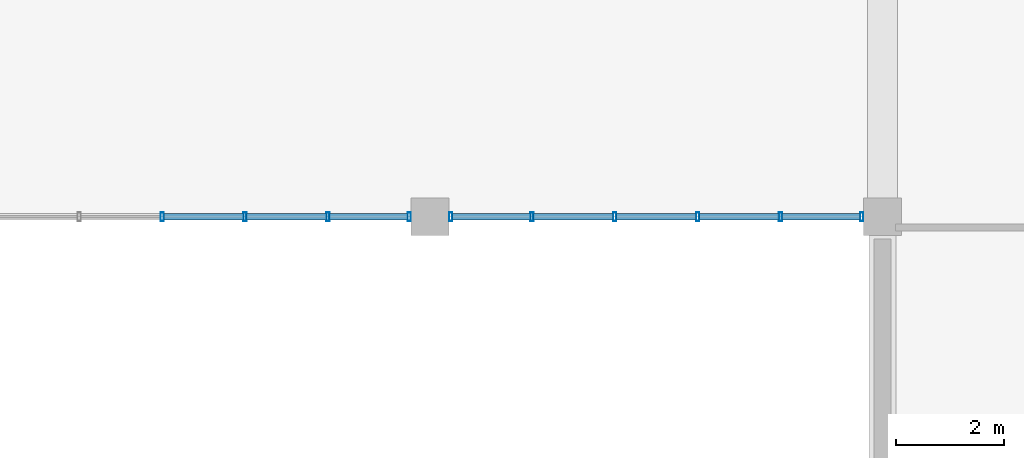
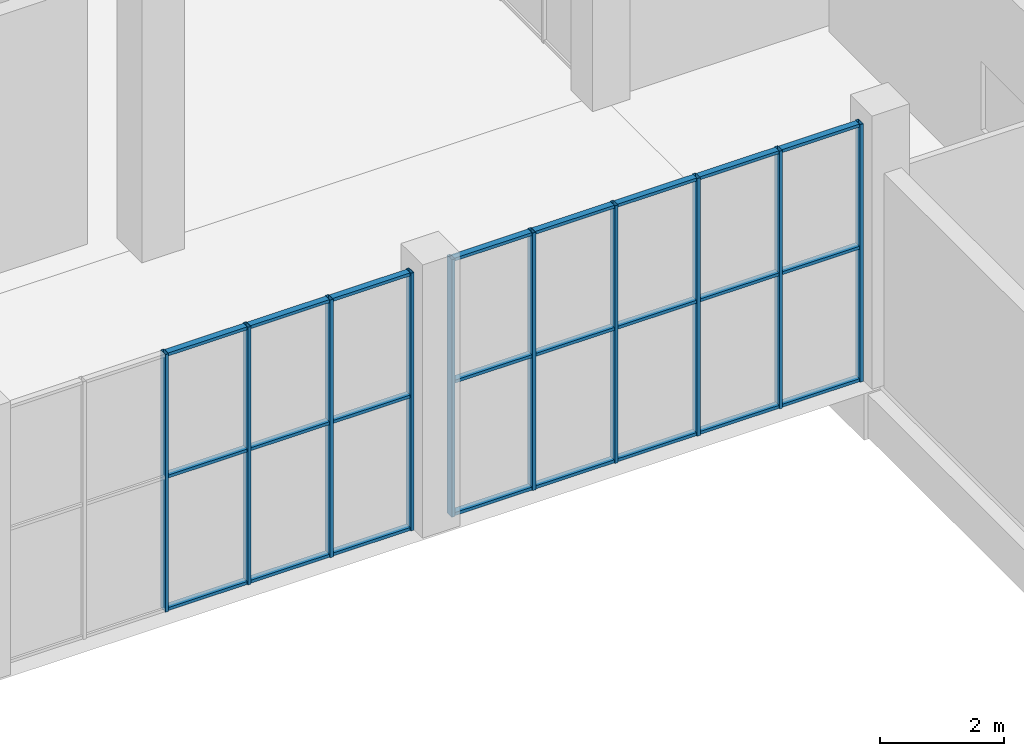
# One storey, part 52 of 91: 34 members, 2 elements without a shape of their own.
"""IFC4 building model written with IfcOpenShell, lengths in metres."""

from ifc_helpers import new_model, si_unit, direction, frame, origin, origin_2d, place, context, subcontext, project, spatial, hollow_rectangle, extrude, material, material_profile, profile_set, type_object, element, aggregate, save


model = new_model("IFC4")

# Units and contexts
model_context = context("Model", 3, precision=1e-05, world=origin(), true_north=direction((0.0, 1.0)))
body_context = subcontext(model_context, "Body", "Model", "MODEL_VIEW")
ifc_project = project(units=[si_unit("LENGTHUNIT", "METRE"), si_unit("AREAUNIT", "SQUARE_METRE"), si_unit("VOLUMEUNIT", "CUBIC_METRE"), si_unit("PLANEANGLEUNIT", "RADIAN"), si_unit("MASSUNIT", "GRAM", prefix="KILO")], contexts=[model_context])

# Site, building, storey
site_placement = place(None, origin())
site = spatial("IfcSite", under=ifc_project, at=site_placement, CompositionType="ELEMENT")
building_placement = place(site_placement, origin())
building = spatial("IfcBuilding", under=site, at=building_placement, Name="Khurvash Pelagic Aquarium", CompositionType="ELEMENT")
storey_placement = place(building_placement, origin())
storey = spatial("IfcBuildingStorey", under=building, at=storey_placement, Name="L00", CompositionType="ELEMENT", Elevation=0.0)

# Curtain wall, members
ifc_material_1 = material(Name="Anodised aluminium and low-E laminated glass", Category="aluminium")
curtain_wall_type = type_object("IfcCurtainWallType", Name="CW-02", PredefinedType="USERDEFINED", material=ifc_material_1)
curtain_wall_1_placement = place(storey_placement, origin())
curtain_wall_1 = element("IfcCurtainWall", 1, at=curtain_wall_1_placement, inside=storey, type_object=curtain_wall_type, Name="L00 Facade Unitised Curtain Wall CW-02 0088", ObjectType="UNITISED CURTAIN WALL", PredefinedType="USERDEFINED")
ifc_material_2 = material(Name="Extruded aluminium AW-6063-T6", Category="aluminium")
ifc_material_profile_1 = material_profile(ifc_material_2, hollow_rectangle(XDim=0.06005859375, YDim=0.159912109375, WallThickness=0.00390625, at=origin_2d()), Name="CWM60X160X4")
ifc_profile_set_1 = profile_set([ifc_material_profile_1], Name="Extruded aluminium AW-6063-T6")
member_type_1 = type_object("IfcMemberType", Name="CM-02", PredefinedType="MULLION", material=ifc_profile_set_1)
member_1_placement = place(storey_placement, frame((112.631103515625, 75.0, 0.0), z_axis=(0.0, 0.0, 1.0), x_axis=(1.0, 0.0, 0.0)))
member_1 = element("IfcMember", 2, at=member_1_placement, type_object=member_type_1, Name="CW-02 mullion 3", PredefinedType="MULLION", context=body_context, shape_type="SweptSolid", body=[
    extrude(hollow_rectangle(XDim=0.06005859375, YDim=0.159912109375, WallThickness=0.00390625, at=origin_2d()), origin(), (0.0, 0.0, 1.0), 5.090087890625),
])
member_2_placement = place(storey_placement, frame((114.1689453125, 75.0, 0.0), z_axis=(0.0, 0.0, 1.0), x_axis=(1.0, 0.0, 0.0)))
member_2 = element("IfcMember", 3, at=member_2_placement, type_object=member_type_1, Name="CW-02 mullion 4", PredefinedType="MULLION", context=body_context, shape_type="SweptSolid", body=[
    extrude(hollow_rectangle(XDim=0.06005859375, YDim=0.159912109375, WallThickness=0.00390625, at=origin_2d()), origin(), (0.0, 0.0, 1.0), 5.090087890625),
])
member_3_placement = place(storey_placement, frame((115.70703125, 75.0, 0.0), z_axis=(0.0, 0.0, 1.0), x_axis=(1.0, 0.0, 0.0)))
member_3 = element("IfcMember", 4, at=member_3_placement, type_object=member_type_1, Name="CW-02 mullion 5", PredefinedType="MULLION", context=body_context, shape_type="SweptSolid", body=[
    extrude(hollow_rectangle(XDim=0.06005859375, YDim=0.159912109375, WallThickness=0.00390625, at=origin_2d()), origin(), (0.0, 0.0, 1.0), 5.090087890625),
])
member_4_placement = place(storey_placement, frame((117.215087890625, 75.0, 0.0), z_axis=(0.0, 0.0, 1.0), x_axis=(1.0, 0.0, 0.0)))
member_4 = element("IfcMember", 5, at=member_4_placement, type_object=member_type_1, Name="CW-02 mullion 6", PredefinedType="MULLION", context=body_context, shape_type="SweptSolid", body=[
    extrude(hollow_rectangle(XDim=0.06005859375, YDim=0.159912109375, WallThickness=0.00390625, at=origin_2d()), origin(), (0.0, 0.0, 1.0), 5.090087890625),
])

curtain_wall_2_placement = place(storey_placement, origin())
curtain_wall_2 = element("IfcCurtainWall", 6, at=curtain_wall_2_placement, inside=storey, type_object=curtain_wall_type, Name="L00 Facade Unitised Curtain Wall CW-02 0089", ObjectType="UNITISED CURTAIN WALL", PredefinedType="USERDEFINED")
member_5_placement = place(storey_placement, frame((117.985107421875, 75.0, 0.0), z_axis=(0.0, 0.0, 1.0), x_axis=(1.0, 0.0, 0.0)))
member_5 = element("IfcMember", 7, at=member_5_placement, type_object=member_type_1, Name="CW-02 mullion 1", PredefinedType="MULLION", context=body_context, shape_type="SweptSolid", body=[
    extrude(hollow_rectangle(XDim=0.06005859375, YDim=0.159912109375, WallThickness=0.00390625, at=origin_2d()), origin(), (0.0, 0.0, 1.0), 5.090087890625),
])
member_6_placement = place(storey_placement, frame((119.492919921875, 75.0, 0.0), z_axis=(0.0, 0.0, 1.0), x_axis=(1.0, 0.0, 0.0)))
member_6 = element("IfcMember", 8, at=member_6_placement, type_object=member_type_1, Name="CW-02 mullion 2", PredefinedType="MULLION", context=body_context, shape_type="SweptSolid", body=[
    extrude(hollow_rectangle(XDim=0.06005859375, YDim=0.159912109375, WallThickness=0.00390625, at=origin_2d()), origin(), (0.0, 0.0, 1.0), 5.090087890625),
])
member_7_placement = place(storey_placement, frame((121.031005859375, 75.0, 0.0), z_axis=(0.0, 0.0, 1.0), x_axis=(1.0, 0.0, 0.0)))
member_7 = element("IfcMember", 9, at=member_7_placement, type_object=member_type_1, Name="CW-02 mullion 3", PredefinedType="MULLION", context=body_context, shape_type="SweptSolid", body=[
    extrude(hollow_rectangle(XDim=0.06005859375, YDim=0.159912109375, WallThickness=0.00390625, at=origin_2d()), origin(), (0.0, 0.0, 1.0), 5.090087890625),
])
member_8_placement = place(storey_placement, frame((122.569091796875, 75.0, 0.0), z_axis=(0.0, 0.0, 1.0), x_axis=(1.0, 0.0, 0.0)))
member_8 = element("IfcMember", 10, at=member_8_placement, type_object=member_type_1, Name="CW-02 mullion 4", PredefinedType="MULLION", context=body_context, shape_type="SweptSolid", body=[
    extrude(hollow_rectangle(XDim=0.06005859375, YDim=0.159912109375, WallThickness=0.00390625, at=origin_2d()), origin(), (0.0, 0.0, 1.0), 5.090087890625),
])
member_9_placement = place(storey_placement, frame((124.10693359375, 75.0, 0.0), z_axis=(0.0, 0.0, 1.0), x_axis=(1.0, 0.0, 0.0)))
member_9 = element("IfcMember", 11, at=member_9_placement, type_object=member_type_1, Name="CW-02 mullion 5", PredefinedType="MULLION", context=body_context, shape_type="SweptSolid", body=[
    extrude(hollow_rectangle(XDim=0.06005859375, YDim=0.159912109375, WallThickness=0.00390625, at=origin_2d()), origin(), (0.0, 0.0, 1.0), 5.090087890625),
])
member_10_placement = place(storey_placement, frame((125.614990234375, 75.0, 0.0), z_axis=(0.0, 0.0, 1.0), x_axis=(1.0, 0.0, 0.0)))
member_10 = element("IfcMember", 12, at=member_10_placement, type_object=member_type_1, Name="CW-02 mullion 6", PredefinedType="MULLION", context=body_context, shape_type="SweptSolid", body=[
    extrude(hollow_rectangle(XDim=0.06005859375, YDim=0.159912109375, WallThickness=0.00390625, at=origin_2d()), origin(), (0.0, 0.0, 1.0), 5.090087890625),
])

# Member
ifc_material_profile_2 = material_profile(ifc_material_2, hollow_rectangle(XDim=0.1201171875, YDim=0.06005859375, WallThickness=0.00390625, at=origin_2d()), Name="CWT120X60X4")
ifc_profile_set_2 = profile_set([ifc_material_profile_2], Name="Extruded aluminium AW-6063-T6")
member_type_2 = type_object("IfcMemberType", Name="CT-02", PredefinedType="USERDEFINED", material=ifc_profile_set_2)
member_11_placement = place(storey_placement, frame((112.660888671875, 75.0, 0.030029296875), z_axis=(1.0, 0.0, 0.0), x_axis=(0.0, 1.0, 0.0)))
member_11 = element("IfcMember", 13, at=member_11_placement, type_object=member_type_2, Name="CW-02 transom 3.1", ObjectType="TRANSOM", PredefinedType="USERDEFINED", context=body_context, shape_type="SweptSolid", body=[
    extrude(hollow_rectangle(XDim=0.1201171875, YDim=0.06005859375, WallThickness=0.00390625, at=origin_2d()), origin(), (0.0, 0.0, 1.0), 1.47802734375),
])

member_12_placement = place(storey_placement, frame((112.660888671875, 75.0, 2.64697265625), z_axis=(1.0, 0.0, 0.0), x_axis=(0.0, 1.0, 0.0)))
member_12 = element("IfcMember", 14, at=member_12_placement, type_object=member_type_2, Name="CW-02 transom 3.2", ObjectType="TRANSOM", PredefinedType="USERDEFINED", context=body_context, shape_type="SweptSolid", body=[
    extrude(hollow_rectangle(XDim=0.1201171875, YDim=0.06005859375, WallThickness=0.00390625, at=origin_2d()), origin(), (0.0, 0.0, 1.0), 1.47802734375),
])

member_13_placement = place(storey_placement, frame((112.660888671875, 75.0, 5.06005859375), z_axis=(1.0, 0.0, 0.0), x_axis=(0.0, 1.0, 0.0)))
member_13 = element("IfcMember", 15, at=member_13_placement, type_object=member_type_2, Name="CW-02 transom 3.3", ObjectType="TRANSOM", PredefinedType="USERDEFINED", context=body_context, shape_type="SweptSolid", body=[
    extrude(hollow_rectangle(XDim=0.1201171875, YDim=0.06005859375, WallThickness=0.00390625, at=origin_2d()), origin(), (0.0, 0.0, 1.0), 1.47802734375),
])

member_14_placement = place(storey_placement, frame((114.198974609375, 75.0, 0.030029296875), z_axis=(1.0, 0.0, 0.0), x_axis=(0.0, 1.0, 0.0)))
member_14 = element("IfcMember", 16, at=member_14_placement, type_object=member_type_2, Name="CW-02 transom 4.1", ObjectType="TRANSOM", PredefinedType="USERDEFINED", context=body_context, shape_type="SweptSolid", body=[
    extrude(hollow_rectangle(XDim=0.1201171875, YDim=0.06005859375, WallThickness=0.00390625, at=origin_2d()), origin(), (0.0, 0.0, 1.0), 1.47802734375),
])

member_15_placement = place(storey_placement, frame((114.198974609375, 75.0, 2.64697265625), z_axis=(1.0, 0.0, 0.0), x_axis=(0.0, 1.0, 0.0)))
member_15 = element("IfcMember", 17, at=member_15_placement, type_object=member_type_2, Name="CW-02 transom 4.2", ObjectType="TRANSOM", PredefinedType="USERDEFINED", context=body_context, shape_type="SweptSolid", body=[
    extrude(hollow_rectangle(XDim=0.1201171875, YDim=0.06005859375, WallThickness=0.00390625, at=origin_2d()), origin(), (0.0, 0.0, 1.0), 1.47802734375),
])

member_16_placement = place(storey_placement, frame((114.198974609375, 75.0, 5.06005859375), z_axis=(1.0, 0.0, 0.0), x_axis=(0.0, 1.0, 0.0)))
member_16 = element("IfcMember", 18, at=member_16_placement, type_object=member_type_2, Name="CW-02 transom 4.3", ObjectType="TRANSOM", PredefinedType="USERDEFINED", context=body_context, shape_type="SweptSolid", body=[
    extrude(hollow_rectangle(XDim=0.1201171875, YDim=0.06005859375, WallThickness=0.00390625, at=origin_2d()), origin(), (0.0, 0.0, 1.0), 1.47802734375),
])

member_17_placement = place(storey_placement, frame((115.737060546875, 75.0, 0.030029296875), z_axis=(1.0, 0.0, 0.0), x_axis=(0.0, 1.0, 0.0)))
member_17 = element("IfcMember", 19, at=member_17_placement, type_object=member_type_2, Name="CW-02 transom 5.1", ObjectType="TRANSOM", PredefinedType="USERDEFINED", context=body_context, shape_type="SweptSolid", body=[
    extrude(hollow_rectangle(XDim=0.1201171875, YDim=0.06005859375, WallThickness=0.00390625, at=origin_2d()), origin(), (0.0, 0.0, 1.0), 1.447998046875),
])

member_18_placement = place(storey_placement, frame((115.737060546875, 75.0, 2.64697265625), z_axis=(1.0, 0.0, 0.0), x_axis=(0.0, 1.0, 0.0)))
member_18 = element("IfcMember", 20, at=member_18_placement, type_object=member_type_2, Name="CW-02 transom 5.2", ObjectType="TRANSOM", PredefinedType="USERDEFINED", context=body_context, shape_type="SweptSolid", body=[
    extrude(hollow_rectangle(XDim=0.1201171875, YDim=0.06005859375, WallThickness=0.00390625, at=origin_2d()), origin(), (0.0, 0.0, 1.0), 1.447998046875),
])

member_19_placement = place(storey_placement, frame((115.737060546875, 75.0, 5.06005859375), z_axis=(1.0, 0.0, 0.0), x_axis=(0.0, 1.0, 0.0)))
member_19 = element("IfcMember", 21, at=member_19_placement, type_object=member_type_2, Name="CW-02 transom 5.3", ObjectType="TRANSOM", PredefinedType="USERDEFINED", context=body_context, shape_type="SweptSolid", body=[
    extrude(hollow_rectangle(XDim=0.1201171875, YDim=0.06005859375, WallThickness=0.00390625, at=origin_2d()), origin(), (0.0, 0.0, 1.0), 1.447998046875),
])

aggregate(curtain_wall_1, [member_1, member_2, member_3, member_4, member_11, member_12, member_13, member_14, member_15, member_16, member_17, member_18, member_19])

member_20_placement = place(storey_placement, frame((118.014892578125, 75.0, 0.030029296875), z_axis=(1.0, 0.0, 0.0), x_axis=(0.0, 1.0, 0.0)))
member_20 = element("IfcMember", 22, at=member_20_placement, type_object=member_type_2, Name="CW-02 transom 1.1", ObjectType="TRANSOM", PredefinedType="USERDEFINED", context=body_context, shape_type="SweptSolid", body=[
    extrude(hollow_rectangle(XDim=0.1201171875, YDim=0.06005859375, WallThickness=0.00390625, at=origin_2d()), origin(), (0.0, 0.0, 1.0), 1.447998046875),
])

member_21_placement = place(storey_placement, frame((118.014892578125, 75.0, 2.64697265625), z_axis=(1.0, 0.0, 0.0), x_axis=(0.0, 1.0, 0.0)))
member_21 = element("IfcMember", 23, at=member_21_placement, type_object=member_type_2, Name="CW-02 transom 1.2", ObjectType="TRANSOM", PredefinedType="USERDEFINED", context=body_context, shape_type="SweptSolid", body=[
    extrude(hollow_rectangle(XDim=0.1201171875, YDim=0.06005859375, WallThickness=0.00390625, at=origin_2d()), origin(), (0.0, 0.0, 1.0), 1.447998046875),
])

member_22_placement = place(storey_placement, frame((118.014892578125, 75.0, 5.06005859375), z_axis=(1.0, 0.0, 0.0), x_axis=(0.0, 1.0, 0.0)))
member_22 = element("IfcMember", 24, at=member_22_placement, type_object=member_type_2, Name="CW-02 transom 1.3", ObjectType="TRANSOM", PredefinedType="USERDEFINED", context=body_context, shape_type="SweptSolid", body=[
    extrude(hollow_rectangle(XDim=0.1201171875, YDim=0.06005859375, WallThickness=0.00390625, at=origin_2d()), origin(), (0.0, 0.0, 1.0), 1.447998046875),
])

member_23_placement = place(storey_placement, frame((119.52294921875, 75.0, 0.030029296875), z_axis=(1.0, 0.0, 0.0), x_axis=(0.0, 1.0, 0.0)))
member_23 = element("IfcMember", 25, at=member_23_placement, type_object=member_type_2, Name="CW-02 transom 2.1", ObjectType="TRANSOM", PredefinedType="USERDEFINED", context=body_context, shape_type="SweptSolid", body=[
    extrude(hollow_rectangle(XDim=0.1201171875, YDim=0.06005859375, WallThickness=0.00390625, at=origin_2d()), origin(), (0.0, 0.0, 1.0), 1.47802734375),
])

member_24_placement = place(storey_placement, frame((119.52294921875, 75.0, 2.64697265625), z_axis=(1.0, 0.0, 0.0), x_axis=(0.0, 1.0, 0.0)))
member_24 = element("IfcMember", 26, at=member_24_placement, type_object=member_type_2, Name="CW-02 transom 2.2", ObjectType="TRANSOM", PredefinedType="USERDEFINED", context=body_context, shape_type="SweptSolid", body=[
    extrude(hollow_rectangle(XDim=0.1201171875, YDim=0.06005859375, WallThickness=0.00390625, at=origin_2d()), origin(), (0.0, 0.0, 1.0), 1.47802734375),
])

member_25_placement = place(storey_placement, frame((119.52294921875, 75.0, 5.06005859375), z_axis=(1.0, 0.0, 0.0), x_axis=(0.0, 1.0, 0.0)))
member_25 = element("IfcMember", 27, at=member_25_placement, type_object=member_type_2, Name="CW-02 transom 2.3", ObjectType="TRANSOM", PredefinedType="USERDEFINED", context=body_context, shape_type="SweptSolid", body=[
    extrude(hollow_rectangle(XDim=0.1201171875, YDim=0.06005859375, WallThickness=0.00390625, at=origin_2d()), origin(), (0.0, 0.0, 1.0), 1.47802734375),
])

member_26_placement = place(storey_placement, frame((121.06103515625, 75.0, 0.030029296875), z_axis=(1.0, 0.0, 0.0), x_axis=(0.0, 1.0, 0.0)))
member_26 = element("IfcMember", 28, at=member_26_placement, type_object=member_type_2, Name="CW-02 transom 3.1", ObjectType="TRANSOM", PredefinedType="USERDEFINED", context=body_context, shape_type="SweptSolid", body=[
    extrude(hollow_rectangle(XDim=0.1201171875, YDim=0.06005859375, WallThickness=0.00390625, at=origin_2d()), origin(), (0.0, 0.0, 1.0), 1.47802734375),
])

member_27_placement = place(storey_placement, frame((121.06103515625, 75.0, 2.64697265625), z_axis=(1.0, 0.0, 0.0), x_axis=(0.0, 1.0, 0.0)))
member_27 = element("IfcMember", 29, at=member_27_placement, type_object=member_type_2, Name="CW-02 transom 3.2", ObjectType="TRANSOM", PredefinedType="USERDEFINED", context=body_context, shape_type="SweptSolid", body=[
    extrude(hollow_rectangle(XDim=0.1201171875, YDim=0.06005859375, WallThickness=0.00390625, at=origin_2d()), origin(), (0.0, 0.0, 1.0), 1.47802734375),
])

member_28_placement = place(storey_placement, frame((121.06103515625, 75.0, 5.06005859375), z_axis=(1.0, 0.0, 0.0), x_axis=(0.0, 1.0, 0.0)))
member_28 = element("IfcMember", 30, at=member_28_placement, type_object=member_type_2, Name="CW-02 transom 3.3", ObjectType="TRANSOM", PredefinedType="USERDEFINED", context=body_context, shape_type="SweptSolid", body=[
    extrude(hollow_rectangle(XDim=0.1201171875, YDim=0.06005859375, WallThickness=0.00390625, at=origin_2d()), origin(), (0.0, 0.0, 1.0), 1.47802734375),
])

member_29_placement = place(storey_placement, frame((122.59912109375, 75.0, 0.030029296875), z_axis=(1.0, 0.0, 0.0), x_axis=(0.0, 1.0, 0.0)))
member_29 = element("IfcMember", 31, at=member_29_placement, type_object=member_type_2, Name="CW-02 transom 4.1", ObjectType="TRANSOM", PredefinedType="USERDEFINED", context=body_context, shape_type="SweptSolid", body=[
    extrude(hollow_rectangle(XDim=0.1201171875, YDim=0.06005859375, WallThickness=0.00390625, at=origin_2d()), origin(), (0.0, 0.0, 1.0), 1.477783203125),
])

member_30_placement = place(storey_placement, frame((122.59912109375, 75.0, 2.64697265625), z_axis=(1.0, 0.0, 0.0), x_axis=(0.0, 1.0, 0.0)))
member_30 = element("IfcMember", 32, at=member_30_placement, type_object=member_type_2, Name="CW-02 transom 4.2", ObjectType="TRANSOM", PredefinedType="USERDEFINED", context=body_context, shape_type="SweptSolid", body=[
    extrude(hollow_rectangle(XDim=0.1201171875, YDim=0.06005859375, WallThickness=0.00390625, at=origin_2d()), origin(), (0.0, 0.0, 1.0), 1.477783203125),
])

member_31_placement = place(storey_placement, frame((122.59912109375, 75.0, 5.06005859375), z_axis=(1.0, 0.0, 0.0), x_axis=(0.0, 1.0, 0.0)))
member_31 = element("IfcMember", 33, at=member_31_placement, type_object=member_type_2, Name="CW-02 transom 4.3", ObjectType="TRANSOM", PredefinedType="USERDEFINED", context=body_context, shape_type="SweptSolid", body=[
    extrude(hollow_rectangle(XDim=0.1201171875, YDim=0.06005859375, WallThickness=0.00390625, at=origin_2d()), origin(), (0.0, 0.0, 1.0), 1.477783203125),
])

member_32_placement = place(storey_placement, frame((124.136962890625, 75.0, 0.030029296875), z_axis=(1.0, 0.0, 0.0), x_axis=(0.0, 1.0, 0.0)))
member_32 = element("IfcMember", 34, at=member_32_placement, type_object=member_type_2, Name="CW-02 transom 5.1", ObjectType="TRANSOM", PredefinedType="USERDEFINED", context=body_context, shape_type="SweptSolid", body=[
    extrude(hollow_rectangle(XDim=0.1201171875, YDim=0.06005859375, WallThickness=0.00390625, at=origin_2d()), origin(), (0.0, 0.0, 1.0), 1.447998046875),
])

member_33_placement = place(storey_placement, frame((124.136962890625, 75.0, 2.64697265625), z_axis=(1.0, 0.0, 0.0), x_axis=(0.0, 1.0, 0.0)))
member_33 = element("IfcMember", 35, at=member_33_placement, type_object=member_type_2, Name="CW-02 transom 5.2", ObjectType="TRANSOM", PredefinedType="USERDEFINED", context=body_context, shape_type="SweptSolid", body=[
    extrude(hollow_rectangle(XDim=0.1201171875, YDim=0.06005859375, WallThickness=0.00390625, at=origin_2d()), origin(), (0.0, 0.0, 1.0), 1.447998046875),
])

member_34_placement = place(storey_placement, frame((124.136962890625, 75.0, 5.06005859375), z_axis=(1.0, 0.0, 0.0), x_axis=(0.0, 1.0, 0.0)))
member_34 = element("IfcMember", 36, at=member_34_placement, type_object=member_type_2, Name="CW-02 transom 5.3", ObjectType="TRANSOM", PredefinedType="USERDEFINED", context=body_context, shape_type="SweptSolid", body=[
    extrude(hollow_rectangle(XDim=0.1201171875, YDim=0.06005859375, WallThickness=0.00390625, at=origin_2d()), origin(), (0.0, 0.0, 1.0), 1.447998046875),
])

aggregate(curtain_wall_2, [member_5, member_6, member_7, member_8, member_9, member_10, member_20, member_21, member_22, member_23, member_24, member_25, member_26, member_27, member_28, member_29, member_30, member_31, member_32, member_33, member_34])

save(model, "model.ifc")
